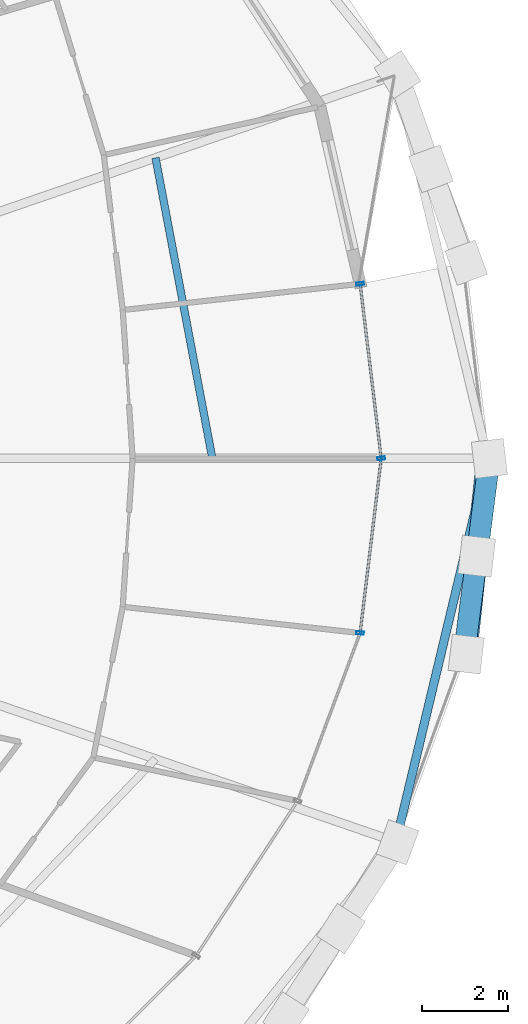
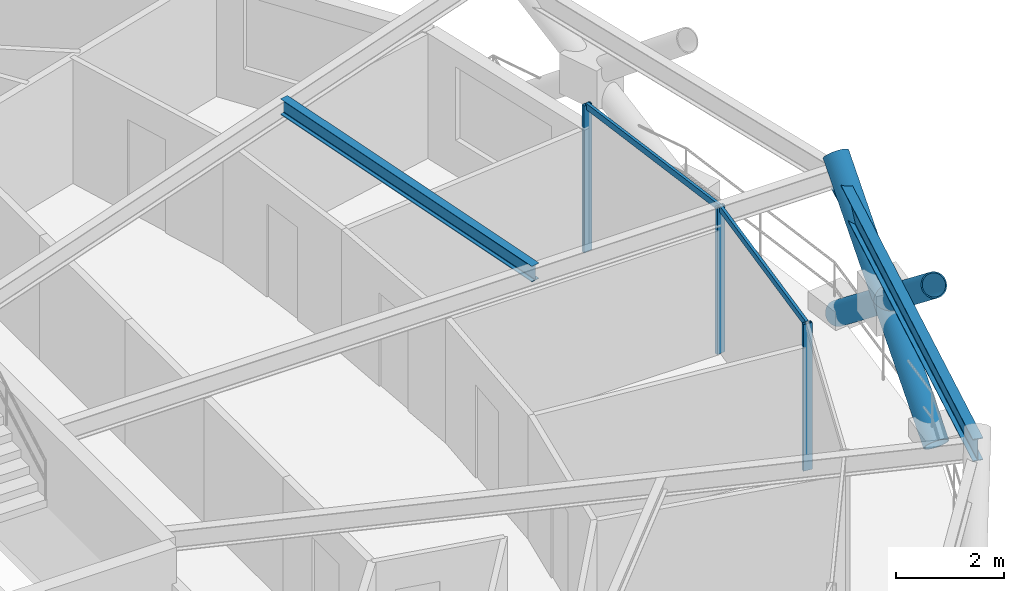
# One storey, part 11 of 19: 8 members, 2 beams, 1 element without a shape of its own.
"""IFC4 building model written with IfcOpenShell, lengths in metres."""

from ifc_helpers import new_model, si_unit, direction, frame, origin, origin_2d, place, context, subcontext, project, spatial, hollow_rectangle, hollow_circle, i_section, extrude, material, layer, layer_set, material_profile, profile_set, type_object, element, aggregate, save


model = new_model("IFC4")

# Units and contexts
model_context = context("Model", 3, precision=1e-05, world=origin(), true_north=direction((0.0, 1.0)))
body_context = subcontext(model_context, "Body", "Model", "MODEL_VIEW")
ifc_project = project(units=[si_unit("LENGTHUNIT", "METRE"), si_unit("AREAUNIT", "SQUARE_METRE"), si_unit("VOLUMEUNIT", "CUBIC_METRE"), si_unit("PLANEANGLEUNIT", "RADIAN"), si_unit("MASSUNIT", "GRAM", prefix="KILO")], contexts=[model_context])

# Site, building, storey
site_placement = place(None, origin())
site = spatial("IfcSite", under=ifc_project, at=site_placement, CompositionType="ELEMENT")
building_placement = place(site_placement, origin())
building = spatial("IfcBuilding", under=site, at=building_placement, Name="Veldorina Hangang Commons", CompositionType="ELEMENT")
storey_placement = place(building_placement, frame((0.0, 0.0, 167.60009765625)))
storey = spatial("IfcBuildingStorey", under=building, at=storey_placement, Name="L43", CompositionType="ELEMENT", Elevation=167.60009765625)

# Beams
ifc_material_1 = material(Name="Steel SM355-TMC", Category="steel")
ifc_material_profile_1 = material_profile(ifc_material_1, i_section(OverallWidth=0.175048828125, OverallDepth=0.35009765625, WebThickness=0.007080078125, FlangeThickness=0.010986328125, FilletRadius=0.012939453125, at=origin_2d()), Name="H-350x175x7x11")
ifc_profile_set_1 = profile_set([ifc_material_profile_1], Name="Steel SM355-TMC")
beam_type_1 = type_object("IfcBeamType", Name="BM-JST350", PredefinedType="JOIST", material=ifc_profile_set_1)
beam_1_placement = place(storey_placement, frame((53.64208984375, 24.0, 3.1748046875), z_axis=(-0.185812991081, 0.982585127277, 0.0), x_axis=(-0.982585127277, -0.185812991081, 0.0)))
element("IfcBeam", 1, at=beam_1_placement, inside=storey, type_object=beam_type_1, Name="L43 secondary floor joist 01", PredefinedType="JOIST", context=body_context, shape_type="SweptSolid", body=[
    extrude(i_section(OverallWidth=0.175048828125, OverallDepth=0.35009765625, WebThickness=0.007080078125, FlangeThickness=0.010986328125, FilletRadius=0.012939453125, at=origin_2d()), origin(), (0.0, 0.0, 1.0), 7.125244140625),
])
ifc_material_2 = material(Name="Steel SM420-TMC", Category="steel")
ifc_material_profile_2 = material_profile(ifc_material_2, i_section(OverallWidth=0.199951171875, OverallDepth=0.5, WebThickness=0.010009765625, FlangeThickness=0.01611328125, FilletRadius=0.01611328125, at=origin_2d()), Name="H-500x200x10x16")
ifc_profile_set_2 = profile_set([ifc_material_profile_2], Name="Steel SM420-TMC")
beam_type_2 = type_object("IfcBeamType", Name="BM-RB500", PredefinedType="BEAM", material=ifc_profile_set_2)
beam_2_placement = place(storey_placement, frame((57.9189453125, 15.06884765625, 3.099853515625), z_axis=(0.232551345037, 0.972584120743, 0.0), x_axis=(-0.972584120743, 0.232551345037, 0.0)))
element("IfcBeam", 2, at=beam_2_placement, inside=storey, type_object=beam_type_2, Name="L43 perimeter hoop ring beam 30", PredefinedType="BEAM", context=body_context, shape_type="SweptSolid", body=[
    extrude(i_section(OverallWidth=0.199951171875, OverallDepth=0.5, WebThickness=0.010009765625, FlangeThickness=0.01611328125, FilletRadius=0.01611328125, at=origin_2d()), origin(), (0.0, 0.0, 1.0), 9.182861328125),
])

# Curtain wall, members
ifc_material_3 = material(Name="Glass Low-E Triple IGU", Category="glass")
ifc_layer = layer(ifc_material_3, 0.179931640625)
ifc_layer_set = layer_set([ifc_layer], Name="Glass Low-E Triple IGU")
curtain_wall_type = type_object("IfcCurtainWallType", Name="CW-SYS-Z2", PredefinedType="NOTDEFINED", material=ifc_layer_set)
curtain_wall_placement = place(storey_placement, origin())
curtain_wall = element("IfcCurtainWall", 3, at=curtain_wall_placement, inside=storey, type_object=curtain_wall_type, Name="L43 unitised curtain wall CW-L43-R2", PredefinedType="NOTDEFINED")
ifc_material_4 = material(Name="Aluminium Anodized AA6063-T6", Category="aluminium")
ifc_material_profile_3 = material_profile(ifc_material_4, hollow_rectangle(XDim=0.070068359375, YDim=0.179931640625, WallThickness=0.00390625, at=origin_2d()), Name="ALU-RHS-180x70x4")
ifc_profile_set_3 = profile_set([ifc_material_profile_3], Name="Aluminium Anodized AA6063-T6")
member_type_1 = type_object("IfcMemberType", Name="CW-MUL-180", PredefinedType="MULLION", material=ifc_profile_set_3)
member_1_placement = place(storey_placement, frame((57.083740234375, 19.93310546875, 0.0), z_axis=(0.0, 0.0, 1.0), x_axis=(0.119946240895, 0.992780388251, 0.0)))
member_1 = element("IfcMember", 4, at=member_1_placement, type_object=member_type_1, Name="CW-L43-R2 vertical mullion 4", PredefinedType="MULLION", context=body_context, shape_type="SweptSolid", body=[
    extrude(hollow_rectangle(XDim=0.070068359375, YDim=0.179931640625, WallThickness=0.00390625, at=origin_2d()), origin(), (0.0, 0.0, 1.0), 3.309814453125),
])
member_2_placement = place(storey_placement, frame((57.5751953125, 24.0, 0.0), z_axis=(0.0, 0.0, 1.0), x_axis=(-0.119946240895, 0.992780388251, 0.0)))
member_2 = element("IfcMember", 5, at=member_2_placement, type_object=member_type_1, Name="CW-L43-R2 vertical mullion 5", PredefinedType="MULLION", context=body_context, shape_type="SweptSolid", body=[
    extrude(hollow_rectangle(XDim=0.070068359375, YDim=0.179931640625, WallThickness=0.00390625, at=origin_2d()), origin(), (0.0, 0.0, 1.0), 3.309814453125),
])
member_3_placement = place(storey_placement, frame((57.083740234375, 28.06689453125, 0.0), z_axis=(0.0, 0.0, 1.0), x_axis=(0.119946240895, -0.992780388251, 0.0)))
member_3 = element("IfcMember", 6, at=member_3_placement, type_object=member_type_1, Name="CW-L43-R2 vertical mullion 6", PredefinedType="MULLION", context=body_context, shape_type="SweptSolid", body=[
    extrude(hollow_rectangle(XDim=0.070068359375, YDim=0.179931640625, WallThickness=0.00390625, at=origin_2d()), origin(), (0.0, 0.0, 1.0), 3.309814453125),
])
ifc_material_profile_4 = material_profile(ifc_material_4, hollow_rectangle(XDim=0.06005859375, YDim=0.139892578125, WallThickness=0.00341796875, at=origin_2d()), Name="ALU-RHS-140x60x3.5")
ifc_profile_set_4 = profile_set([ifc_material_profile_4], Name="Aluminium Anodized AA6063-T6")
member_type_2 = type_object("IfcMemberType", Name="CW-TRN-140", PredefinedType="USERDEFINED", material=ifc_profile_set_4)
member_4_placement = place(storey_placement, frame((57.083740234375, 19.93310546875, 3.27001953125), z_axis=(0.119970052219, 0.992777511112, 0.0), x_axis=(-0.992777511112, 0.119970052219, 0.0)))
member_4 = element("IfcMember", 7, at=member_4_placement, type_object=member_type_2, Name="CW-L43-R2 facet 4 transom 1", ObjectType="TRANSOM", PredefinedType="USERDEFINED", context=body_context, shape_type="SweptSolid", body=[
    extrude(hollow_rectangle(XDim=0.06005859375, YDim=0.139892578125, WallThickness=0.00341796875, at=origin_2d()), origin(), (0.0, 0.0, 1.0), 4.096435546875),
])
member_5_placement = place(storey_placement, frame((57.5751953125, 24.0, 3.27001953125), z_axis=(-0.119970052219, 0.992777511112, 0.0), x_axis=(-0.992777511112, -0.119970052219, 0.0)))
member_5 = element("IfcMember", 8, at=member_5_placement, type_object=member_type_2, Name="CW-L43-R2 facet 5 transom 1", ObjectType="TRANSOM", PredefinedType="USERDEFINED", context=body_context, shape_type="SweptSolid", body=[
    extrude(hollow_rectangle(XDim=0.06005859375, YDim=0.139892578125, WallThickness=0.00341796875, at=origin_2d()), origin(), (0.0, 0.0, 1.0), 4.096435546875),
])
aggregate(curtain_wall, [member_1, member_2, member_3, member_4, member_5])

# Members
ifc_material_profile_5 = material_profile(ifc_material_2, hollow_circle(Radius=0.25, WallThickness=0.02490234375, at=origin_2d()), Name="CHS-500x25")
ifc_profile_set_5 = profile_set([ifc_material_profile_5], Name="Steel SM420-TMC")
member_type_3 = type_object("IfcMemberType", Name="DG-CHS500", PredefinedType="BRACE", material=ifc_profile_set_5)
member_6_placement = place(storey_placement, frame((59.555419921875, 19.44140625, 0.0), z_axis=(0.084473430747, 0.781996975168, 0.617531351695), x_axis=(-0.99421611705, 0.1073979171, 0.0)))
element("IfcMember", 9, at=member_6_placement, inside=storey, type_object=member_type_3, Name="L43 continuous perimeter diagrid brace 31", PredefinedType="BRACE", context=body_context, shape_type="SweptSolid", body=[
    extrude(hollow_circle(Radius=0.25, WallThickness=0.02490234375, at=origin_2d()), origin(), (0.0, 0.0, 1.0), 5.829345703125),
])
member_7_placement = place(storey_placement, frame((60.09521484375, 24.0, 0.0), z_axis=(-0.100547960519, -0.780375976437, 0.617173754331), x_axis=(0.991801354285, -0.12778917653, 0.0)))
element("IfcMember", 10, at=member_7_placement, inside=storey, type_object=member_type_3, Name="L43 split perimeter diagrid lower brace 00", PredefinedType="BRACE", context=body_context, shape_type="SweptSolid", body=[
    extrude(hollow_circle(Radius=0.25, WallThickness=0.02490234375, at=origin_2d()), origin(), (0.0, 0.0, 1.0), 2.91845703125),
])
member_8_placement = place(storey_placement, frame((59.8017578125, 21.722412109375, 1.80126953125), z_axis=(-0.100524745759, -0.780407109573, 0.617138168337), x_axis=(0.991805739109, -0.127755140289, 0.0)))
element("IfcMember", 11, at=member_8_placement, inside=storey, type_object=member_type_3, Name="L43 split perimeter diagrid upper brace 00", PredefinedType="BRACE", context=body_context, shape_type="SweptSolid", body=[
    extrude(hollow_circle(Radius=0.25, WallThickness=0.02490234375, at=origin_2d()), origin(), (0.0, 0.0, 1.0), 2.914306640625),
])

save(model, "model.ifc")
